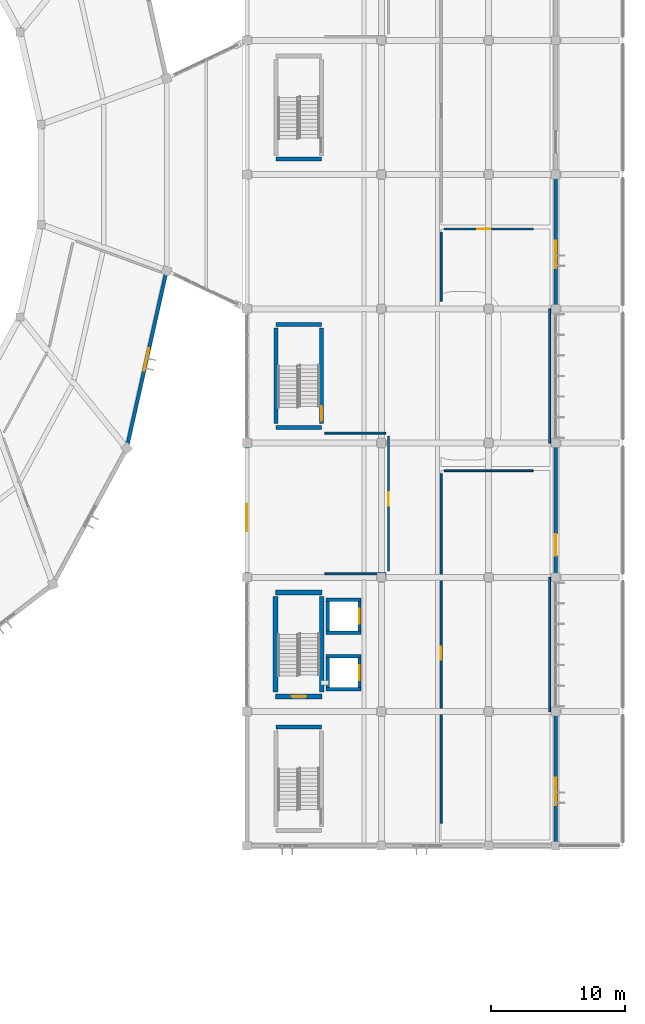
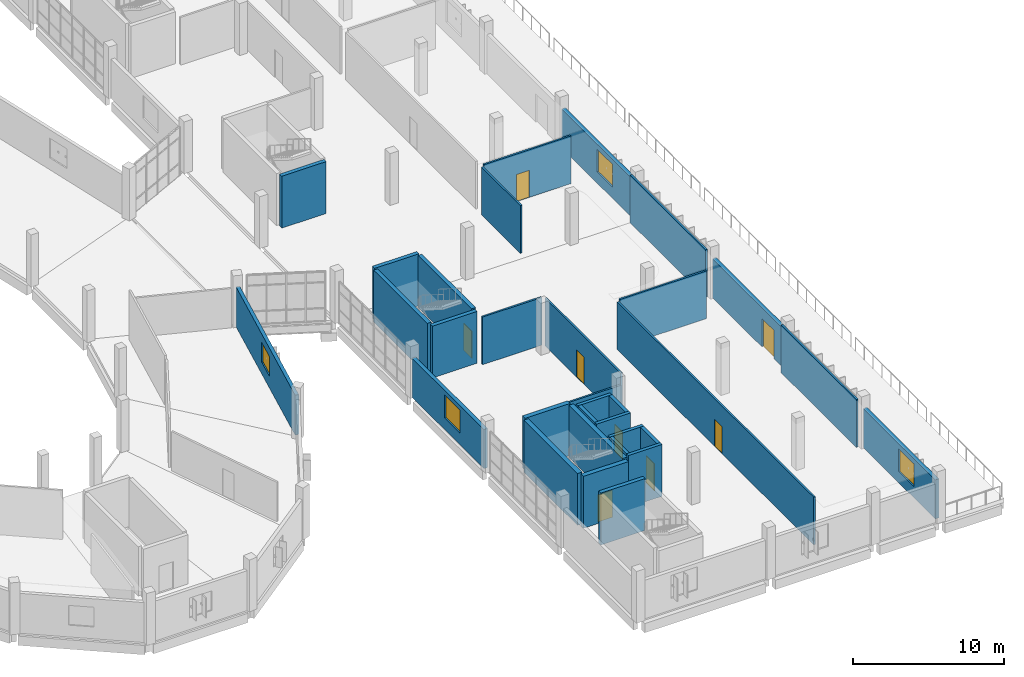
# One storey, part 104 of 142: 32 walls, 8 doors, 4 windows, 12 openings.
"""IFC4 building model written with IfcOpenShell, lengths in metres."""

from ifc_helpers import new_model, si_unit, direction, frame, frame_2d, origin, place, context, subcontext, project, spatial, rectangle, extrude, material, layer, layer_set, type_object, element, fill, save


model = new_model("IFC4")

# Units and contexts
model_context = context("Model", 3, precision=1e-05, world=origin(), true_north=direction((0.0, 1.0)))
body_context = subcontext(model_context, "Body", "Model", "MODEL_VIEW")
ifc_project = project(units=[si_unit("LENGTHUNIT", "METRE"), si_unit("AREAUNIT", "SQUARE_METRE"), si_unit("VOLUMEUNIT", "CUBIC_METRE"), si_unit("PLANEANGLEUNIT", "RADIAN"), si_unit("MASSUNIT", "GRAM", prefix="KILO")], contexts=[model_context])

# Site, building, storey
site_placement = place(None, origin())
site = spatial("IfcSite", under=ifc_project, at=site_placement, CompositionType="ELEMENT")
building_placement = place(site_placement, origin())
building = spatial("IfcBuilding", under=site, at=building_placement, Name="Corvandel Quay Wholesale Market", CompositionType="ELEMENT")
storey_placement = place(building_placement, frame((0.0, 0.0, 10.800048828125)))
storey = spatial("IfcBuildingStorey", under=building, at=storey_placement, Name="L02", CompositionType="ELEMENT", Elevation=10.800048828125)

# Wall, opening, window
ifc_material_1 = material(Name="Buff-pigmented precast concrete C45/55", Category="concrete")
ifc_layer_1 = layer(ifc_material_1, 0.280029296875)
ifc_layer_set_1 = layer_set([ifc_layer_1], Name="Buff-pigmented precast concrete C45/55")
wall_type_1 = type_object("IfcWallType", Name="Colonnade Spandrel Precast Wall EW07 280", PredefinedType="SOLIDWALL", material=ifc_layer_set_1)
wall_1_placement = place(storey_placement, frame((243.0, 10.219970703125, 0.0), z_axis=(0.0, 0.0, 1.0), x_axis=(0.0, 1.0, 0.0)))
wall_1 = element("IfcWall", 1, at=wall_1_placement, inside=storey, type_object=wall_type_1, Name="Exterior Wall EW-0366", PredefinedType="SOLIDWALL", context=body_context, shape_type="SweptSolid", body=[
    extrude(rectangle(XDim=9.56005859375, YDim=0.280029296875, at=frame_2d((4.780029296875, 0.0))), origin(), (0.0, 0.0, 1.0), 3.159912109375),
])
opening_1_placement = place(wall_1_placement, frame((2.800048828125, 0.0, 0.89990234375)))
opening_1 = element("IfcOpeningElement", 2, at=opening_1_placement, cuts=wall_1, Name="Opening L02-W064", PredefinedType="OPENING", context=body_context, shape_type="SweptSolid", body=[
    extrude(rectangle(XDim=2.050048828125, YDim=1.85009765625, at=frame_2d((1.02490234375, 0.925048828125))), frame((0.0, 0.14990234375, 0.0), z_axis=(0.0, -1.0, 0.0), x_axis=(1.0, 0.0, 0.0)), (0.0, 0.0, 1.0), 0.300048828125),
])
ifc_material_2 = material(Name="Thermally broken bronze anodised aluminium and solar-control low-E double glazing", Category="aluminium")
window_type_1 = type_object("IfcWindowType", Name="Traders Office Module Window WN19 2050x1850", PartitioningType="SINGLE_PANEL", PredefinedType="WINDOW", material=ifc_material_2)
window_1_placement = place(opening_1_placement, origin())
window_1 = element("IfcWindow", 3, at=window_1_placement, inside=storey, type_object=window_type_1, Name="Window L02-W064", OverallHeight=1.85009765625, OverallWidth=2.050048828125, PartitioningType="SINGLE_PANEL", PredefinedType="WINDOW", context=body_context, shape_type="SweptSolid", body=[
    extrude(rectangle(XDim=2.050048828125, YDim=1.85009765625, at=frame_2d((1.02490234375, 0.925048828125))), frame((0.0, 0.030029296875, 0.0), z_axis=(0.0, -1.0, 0.0), x_axis=(1.0, 0.0, 0.0)), (0.0, 0.0, 1.0), 0.06005859375),
])
fill(opening_1, window_1)

# Wall, opening, door
wall_2_placement = place(storey_placement, frame((243.0, 30.219970703125, 0.0), z_axis=(0.0, 0.0, 1.0), x_axis=(0.0, 1.0, 0.0)))
wall_2 = element("IfcWall", 4, at=wall_2_placement, inside=storey, type_object=wall_type_1, Name="Exterior Wall EW-0368", PredefinedType="SOLIDWALL", context=body_context, shape_type="SweptSolid", body=[
    extrude(rectangle(XDim=9.56005859375, YDim=0.280029296875, at=frame_2d((4.780029296875, 0.0))), origin(), (0.0, 0.0, 1.0), 3.159912109375),
])
opening_2_placement = place(wall_2_placement, frame((1.39990234375, 0.0, 0.0)))
opening_2 = element("IfcOpeningElement", 5, at=opening_2_placement, cuts=wall_2, Name="Opening L02-D005", PredefinedType="OPENING", context=body_context, shape_type="SweptSolid", body=[
    extrude(rectangle(XDim=1.60009765625, YDim=2.300048828125, at=frame_2d((0.800048828125, 1.14990234375))), frame((0.0, 0.14990234375, 0.0), z_axis=(0.0, -1.0, 0.0), x_axis=(1.0, 0.0, 0.0)), (0.0, 0.0, 1.0), 0.300048828125),
])
ifc_material_3 = material(Name="Bronze anodised aluminium and low-E glass", Category="aluminium")
door_type_1 = type_object("IfcDoorType", Name="Terrace Garden Access Door ED04 1600x2300", OperationType="DOUBLE_DOOR_SINGLE_SWING", PredefinedType="DOOR", material=ifc_material_3)
door_1_placement = place(opening_2_placement, origin())
door_1 = element("IfcDoor", 6, at=door_1_placement, inside=storey, type_object=door_type_1, Name="Harbour Setback Terrace Door L02-30", OperationType="DOUBLE_DOOR_SINGLE_SWING", OverallHeight=2.300048828125, OverallWidth=1.60009765625, PredefinedType="DOOR", context=body_context, shape_type="SweptSolid", body=[
    extrude(rectangle(XDim=1.60009765625, YDim=2.300048828125, at=frame_2d((0.800048828125, 1.14990234375))), frame((0.0, 0.02490234375, 0.0), z_axis=(0.0, -1.0, 0.0), x_axis=(1.0, 0.0, 0.0)), (0.0, 0.0, 1.0), 0.050048828125),
])
fill(opening_2, door_1)

# Wall, opening, window
wall_3_placement = place(storey_placement, frame((220.0, 30.219970703125, 0.0), z_axis=(0.0, 0.0, 1.0), x_axis=(0.0, 1.0, 0.0)))
wall_3 = element("IfcWall", 7, at=wall_3_placement, inside=storey, type_object=wall_type_1, Name="Exterior Wall EW-0369", PredefinedType="SOLIDWALL", context=body_context, shape_type="SweptSolid", body=[
    extrude(rectangle(XDim=9.56005859375, YDim=0.280029296875, at=frame_2d((4.780029296875, 0.0))), origin(), (0.0, 0.0, 1.0), 3.159912109375),
])
opening_3_placement = place(wall_3_placement, frame((3.199951171875, 0.0, 0.949951171875)))
opening_3 = element("IfcOpeningElement", 8, at=opening_3_placement, cuts=wall_3, Name="Opening L02-W065", PredefinedType="OPENING", context=body_context, shape_type="SweptSolid", body=[
    extrude(rectangle(XDim=2.050048828125, YDim=1.85009765625, at=frame_2d((1.02490234375, 0.925048828125))), frame((0.0, 0.14990234375, 0.0), z_axis=(0.0, -1.0, 0.0), x_axis=(1.0, 0.0, 0.0)), (0.0, 0.0, 1.0), 0.300048828125),
])
window_2_placement = place(opening_3_placement, origin())
window_2 = element("IfcWindow", 9, at=window_2_placement, inside=storey, type_object=window_type_1, Name="Window L02-W065", OverallHeight=1.85009765625, OverallWidth=2.050048828125, PartitioningType="SINGLE_PANEL", PredefinedType="WINDOW", context=body_context, shape_type="SweptSolid", body=[
    extrude(rectangle(XDim=2.050048828125, YDim=1.85009765625, at=frame_2d((1.02490234375, 0.925048828125))), frame((0.0, 0.030029296875, 0.0), z_axis=(0.0, -1.0, 0.0), x_axis=(1.0, 0.0, 0.0)), (0.0, 0.0, 1.0), 0.06005859375),
])
fill(opening_3, window_2)

wall_4_placement = place(storey_placement, frame((243.0, 50.219970703125, 0.0), z_axis=(0.0, 0.0, 1.0), x_axis=(0.0, 1.0, 0.0)))
wall_4 = element("IfcWall", 10, at=wall_4_placement, inside=storey, type_object=wall_type_1, Name="Exterior Wall EW-0370", PredefinedType="SOLIDWALL", context=body_context, shape_type="SweptSolid", body=[
    extrude(rectangle(XDim=9.56005859375, YDim=0.280029296875, at=frame_2d((4.780029296875, 0.0))), origin(), (0.0, 0.0, 1.0), 3.159912109375),
])
opening_4_placement = place(wall_4_placement, frame((2.800048828125, 0.0, 0.89990234375)))
opening_4 = element("IfcOpeningElement", 11, at=opening_4_placement, cuts=wall_4, Name="Opening L02-W066", PredefinedType="OPENING", context=body_context, shape_type="SweptSolid", body=[
    extrude(rectangle(XDim=2.050048828125, YDim=1.85009765625, at=frame_2d((1.02490234375, 0.925048828125))), frame((0.0, 0.14990234375, 0.0), z_axis=(0.0, -1.0, 0.0), x_axis=(1.0, 0.0, 0.0)), (0.0, 0.0, 1.0), 0.300048828125),
])
window_3_placement = place(opening_4_placement, origin())
window_3 = element("IfcWindow", 12, at=window_3_placement, inside=storey, type_object=window_type_1, Name="Window L02-W066", OverallHeight=1.85009765625, OverallWidth=2.050048828125, PartitioningType="SINGLE_PANEL", PredefinedType="WINDOW", context=body_context, shape_type="SweptSolid", body=[
    extrude(rectangle(XDim=2.050048828125, YDim=1.85009765625, at=frame_2d((1.02490234375, 0.925048828125))), frame((0.0, 0.030029296875, 0.0), z_axis=(0.0, -1.0, 0.0), x_axis=(1.0, 0.0, 0.0)), (0.0, 0.0, 1.0), 0.06005859375),
])
fill(opening_4, window_3)

# Wall, opening, door
ifc_material_4 = material(Name="Concrete C40/50", Category="concrete")
ifc_layer_2 = layer(ifc_material_4, 0.35009765625)
ifc_layer_set_2 = layer_set([ifc_layer_2], Name="Concrete C40/50")
wall_type_2 = type_object("IfcWallType", Name="Core Shear Wall SW01 350", PredefinedType="SHEAR", material=ifc_layer_set_2)
wall_5_placement = place(storey_placement, frame((222.125, 21.125, 0.0), z_axis=(0.0, 0.0, 1.0), x_axis=(1.0, 0.0, 0.0)))
wall_5 = element("IfcWall", 13, at=wall_5_placement, inside=storey, type_object=wall_type_2, Name="Shear Wall IW-0169", PredefinedType="SHEAR", context=body_context, shape_type="SweptSolid", body=[
    extrude(rectangle(XDim=3.449951171875, YDim=0.35009765625, at=frame_2d((1.72509765625, 0.0))), origin(), (0.0, 0.0, 1.0), 4.199951171875),
])
opening_5_placement = place(wall_5_placement, frame((1.199951171875, 0.0, 0.0)))
opening_5 = element("IfcOpeningElement", 14, at=opening_5_placement, cuts=wall_5, Name="Opening L02-D017", PredefinedType="OPENING", context=body_context, shape_type="SweptSolid", body=[
    extrude(rectangle(XDim=1.10009765625, YDim=2.199951171875, at=frame_2d((0.550048828125, 1.10009765625))), frame((0.0, 0.18505859375, 0.0), z_axis=(0.0, -1.0, 0.0), x_axis=(1.0, 0.0, 0.0)), (0.0, 0.0, 1.0), 0.3701171875),
])
ifc_material_5 = material(Name="Galvanised fire-rated hollow steel", Category="steel")
door_type_2 = type_object("IfcDoorType", Name="Exit Stair Fire Door ID01 1100x2200L", OperationType="SINGLE_SWING_LEFT", PredefinedType="DOOR", material=ifc_material_5)
door_2_placement = place(opening_5_placement, origin())
door_2 = element("IfcDoor", 15, at=door_2_placement, inside=storey, type_object=door_type_2, Name="Exit Stair Door SH16-L02", OperationType="SINGLE_SWING_LEFT", OverallHeight=2.199951171875, OverallWidth=1.10009765625, PredefinedType="DOOR", context=body_context, shape_type="SweptSolid", body=[
    extrude(rectangle(XDim=1.10009765625, YDim=2.199951171875, at=frame_2d((0.550048828125, 1.10009765625))), frame((0.0, 0.02490234375, 0.0), z_axis=(0.0, -1.0, 0.0), x_axis=(1.0, 0.0, 0.0)), (0.0, 0.0, 1.0), 0.050048828125),
])
fill(opening_5, door_2)

# Walls
wall_6_placement = place(storey_placement, frame((222.125, 28.875, 0.0), z_axis=(0.0, 0.0, 1.0), x_axis=(1.0, 0.0, 0.0)))
element("IfcWall", 16, at=wall_6_placement, inside=storey, type_object=wall_type_2, Name="Shear Wall IW-0170", PredefinedType="SHEAR", context=body_context, shape_type="SweptSolid", body=[
    extrude(rectangle(XDim=3.449951171875, YDim=0.35009765625, at=frame_2d((1.72509765625, 0.0))), origin(), (0.0, 0.0, 1.0), 4.199951171875),
])
for number, where, z_axis, x_axis, name in (
    (17, (222.125, 21.43994140625, 0.0), (0.0, 0.0, 1.0), (0.0, 1.0, 0.0), "Shear Wall IW-0171"),
    (18, (225.574951171875, 21.43994140625, 0.0), (0.0, 0.0, 1.0), (0.0, 1.0, 0.0), "Shear Wall IW-0172"),
):
    element("IfcWall", number, at=place(storey_placement, frame(where, z_axis=z_axis, x_axis=x_axis)), inside=storey, type_object=wall_type_2, Name=name, PredefinedType="SHEAR", context=body_context, shape_type="SweptSolid", body=[
        extrude(rectangle(XDim=7.1201171875, YDim=0.35009765625, at=frame_2d((3.56005859375, 0.0))), origin(), (0.0, 0.0, 1.0), 4.199951171875),
    ])
ifc_layer_3 = layer(ifc_material_4, 0.25)
ifc_layer_set_3 = layer_set([ifc_layer_3], Name="Concrete C40/50")
wall_type_3 = type_object("IfcWallType", Name="Lift Shaft Shear Wall SW03 250", PredefinedType="SHEAR", material=ifc_layer_set_3)
for number, where, z_axis, x_axis, name in (
    (19, (225.89990234375, 21.675048828125, 0.0), (0.0, 0.0, 1.0), (1.0, 0.0, 0.0), "Shear Wall IW-0329"),
    (20, (225.89990234375, 24.125, 0.0), (0.0, 0.0, 1.0), (1.0, 0.0, 0.0), "Shear Wall IW-0330"),
):
    element("IfcWall", number, at=place(storey_placement, frame(where, z_axis=z_axis, x_axis=x_axis)), inside=storey, type_object=wall_type_3, Name=name, PredefinedType="SHEAR", context=body_context, shape_type="SweptSolid", body=[
        extrude(rectangle(XDim=2.60009765625, YDim=0.25, at=frame_2d((1.300048828125, 0.0))), origin(), (0.0, 0.0, 1.0), 4.199951171875),
    ])
wall_7_placement = place(storey_placement, frame((226.02490234375, 21.7900390625, 0.0), z_axis=(0.0, 0.0, 1.0), x_axis=(0.0, 1.0, 0.0)))
element("IfcWall", 21, at=wall_7_placement, inside=storey, type_object=wall_type_3, Name="Shear Wall IW-0331", PredefinedType="SHEAR", context=body_context, shape_type="SweptSolid", body=[
    extrude(rectangle(XDim=2.219970703125, YDim=0.25, at=frame_2d((1.10986328125, 0.0))), origin(), (0.0, 0.0, 1.0), 4.199951171875),
])

# Wall, opening, door
wall_8_placement = place(storey_placement, frame((228.375, 21.7900390625, 0.0), z_axis=(0.0, 0.0, 1.0), x_axis=(0.0, 1.0, 0.0)))
wall_8 = element("IfcWall", 22, at=wall_8_placement, inside=storey, type_object=wall_type_3, Name="Shear Wall IW-0332", PredefinedType="SHEAR", context=body_context, shape_type="SweptSolid", body=[
    extrude(rectangle(XDim=2.219970703125, YDim=0.25, at=frame_2d((1.10986328125, 0.0))), origin(), (0.0, 0.0, 1.0), 4.199951171875),
])
opening_6_placement = place(wall_8_placement, frame((0.56005859375, 0.0, 0.0)))
opening_6 = element("IfcOpeningElement", 23, at=opening_6_placement, cuts=wall_8, Name="Opening LD-L02-028", PredefinedType="OPENING", context=body_context, shape_type="SweptSolid", body=[
    extrude(rectangle(XDim=1.10009765625, YDim=2.199951171875, at=frame_2d((0.550048828125, 1.10009765625))), frame((0.0, 0.135009765625, 0.0), z_axis=(0.0, -1.0, 0.0), x_axis=(1.0, 0.0, 0.0)), (0.0, 0.0, 1.0), 0.27001953125),
])
ifc_material_6 = material(Name="Brushed stainless steel", Category="steel")
door_type_3 = type_object("IfcDoorType", Name="Passenger Lift Landing Door LD01 1100x2200", OperationType="DOUBLE_DOOR_SLIDING", PredefinedType="DOOR", material=ifc_material_6)
door_3_placement = place(opening_6_placement, origin())
door_3 = element("IfcDoor", 24, at=door_3_placement, inside=storey, type_object=door_type_3, Name="Lift Landing Door LF-V5P1-L02", OperationType="DOUBLE_DOOR_SLIDING", OverallHeight=2.199951171875, OverallWidth=1.10009765625, PredefinedType="DOOR", context=body_context, shape_type="SweptSolid", body=[
    extrude(rectangle(XDim=1.10009765625, YDim=2.199951171875, at=frame_2d((0.550048828125, 1.10009765625))), frame((0.0, 0.02490234375, 0.0), z_axis=(0.0, -1.0, 0.0), x_axis=(1.0, 0.0, 0.0)), (0.0, 0.0, 1.0), 0.050048828125),
])
fill(opening_6, door_3)

# Walls
for number, where, z_axis, x_axis, name in (
    (25, (225.89990234375, 25.875, 0.0), (0.0, 0.0, 1.0), (1.0, 0.0, 0.0), "Shear Wall IW-0345"),
    (26, (225.89990234375, 28.324951171875, 0.0), (0.0, 0.0, 1.0), (1.0, 0.0, 0.0), "Shear Wall IW-0346"),
):
    element("IfcWall", number, at=place(storey_placement, frame(where, z_axis=z_axis, x_axis=x_axis)), inside=storey, type_object=wall_type_3, Name=name, PredefinedType="SHEAR", context=body_context, shape_type="SweptSolid", body=[
        extrude(rectangle(XDim=2.60009765625, YDim=0.25, at=frame_2d((1.300048828125, 0.0))), origin(), (0.0, 0.0, 1.0), 4.199951171875),
    ])
wall_9_placement = place(storey_placement, frame((226.02490234375, 25.989990234375, 0.0), z_axis=(0.0, 0.0, 1.0), x_axis=(0.0, 1.0, 0.0)))
element("IfcWall", 27, at=wall_9_placement, inside=storey, type_object=wall_type_3, Name="Shear Wall IW-0347", PredefinedType="SHEAR", context=body_context, shape_type="SweptSolid", body=[
    extrude(rectangle(XDim=2.219970703125, YDim=0.25, at=frame_2d((1.10986328125, 0.0))), origin(), (0.0, 0.0, 1.0), 4.199951171875),
])

# Wall, opening, door
wall_10_placement = place(storey_placement, frame((228.375, 25.989990234375, 0.0), z_axis=(0.0, 0.0, 1.0), x_axis=(0.0, 1.0, 0.0)))
wall_10 = element("IfcWall", 28, at=wall_10_placement, inside=storey, type_object=wall_type_3, Name="Shear Wall IW-0348", PredefinedType="SHEAR", context=body_context, shape_type="SweptSolid", body=[
    extrude(rectangle(XDim=2.219970703125, YDim=0.25, at=frame_2d((1.10986328125, 0.0))), origin(), (0.0, 0.0, 1.0), 4.199951171875),
])
opening_7_placement = place(wall_10_placement, frame((0.56005859375, 0.0, 0.0)))
opening_7 = element("IfcOpeningElement", 29, at=opening_7_placement, cuts=wall_10, Name="Opening LD-L02-029", PredefinedType="OPENING", context=body_context, shape_type="SweptSolid", body=[
    extrude(rectangle(XDim=1.10009765625, YDim=2.199951171875, at=frame_2d((0.550048828125, 1.10009765625))), frame((0.0, 0.135009765625, 0.0), z_axis=(0.0, -1.0, 0.0), x_axis=(1.0, 0.0, 0.0)), (0.0, 0.0, 1.0), 0.27001953125),
])
door_4_placement = place(opening_7_placement, origin())
door_4 = element("IfcDoor", 30, at=door_4_placement, inside=storey, type_object=door_type_3, Name="Lift Landing Door LF-V5P2-L02", OperationType="DOUBLE_DOOR_SLIDING", OverallHeight=2.199951171875, OverallWidth=1.10009765625, PredefinedType="DOOR", context=body_context, shape_type="SweptSolid", body=[
    extrude(rectangle(XDim=1.10009765625, YDim=2.199951171875, at=frame_2d((0.550048828125, 1.10009765625))), frame((0.0, 0.02490234375, 0.0), z_axis=(0.0, -1.0, 0.0), x_axis=(1.0, 0.0, 0.0)), (0.0, 0.0, 1.0), 0.050048828125),
])
fill(opening_7, door_4)

ifc_material_7 = material(Name="Double-layer acoustic gypsum stud partition")
ifc_layer_4 = layer(ifc_material_7, 0.139892578125)
ifc_layer_set_4 = layer_set([ifc_layer_4], Name="Double-layer acoustic gypsum stud partition")
wall_type_4 = type_object("IfcWallType", Name="Office Acoustic Partition PT07 140", PredefinedType="PARTITIONING", material=ifc_layer_set_4)
wall_11_placement = place(storey_placement, frame((234.4599609375, 11.669921875, 0.0), z_axis=(0.0, 0.0, 1.0), x_axis=(0.0, 1.0, 0.0)))
wall_11 = element("IfcWall", 31, at=wall_11_placement, inside=storey, type_object=wall_type_4, Name="Interior Wall IW-0888", PredefinedType="PARTITIONING", context=body_context, shape_type="SweptSolid", body=[
    extrude(rectangle(XDim=26.050048828125, YDim=0.139892578125, at=frame_2d((13.02490234375, 0.0))), origin(), (0.0, 0.0, 1.0), 3.85986328125),
])
opening_8_placement = place(wall_11_placement, frame((12.175048828125, 0.0, 0.0)))
opening_8 = element("IfcOpeningElement", 32, at=opening_8_placement, cuts=wall_11, Name="Opening L02-D049", PredefinedType="OPENING", context=body_context, shape_type="SweptSolid", body=[
    extrude(rectangle(XDim=1.0, YDim=2.199951171875, at=frame_2d((0.5, 1.10009765625))), frame((0.0, 0.079833984375, 0.0), z_axis=(0.0, -1.0, 0.0), x_axis=(1.0, 0.0, 0.0)), (0.0, 0.0, 1.0), 0.159912109375),
])
ifc_material_8 = material(Name="Stained oak solid-core acoustic timber", Category="wood")
door_type_4 = type_object("IfcDoorType", Name="Office Entry Door ID09 1000x2200L", OperationType="SINGLE_SWING_LEFT", PredefinedType="DOOR", material=ifc_material_8)
door_5_placement = place(opening_8_placement, origin())
door_5 = element("IfcDoor", 33, at=door_5_placement, inside=storey, type_object=door_type_4, Name="Market Traders Office Suite South Door", OperationType="SINGLE_SWING_LEFT", OverallHeight=2.199951171875, OverallWidth=1.0, PredefinedType="DOOR", context=body_context, shape_type="SweptSolid", body=[
    extrude(rectangle(XDim=1.0, YDim=2.199951171875, at=frame_2d((0.5, 1.10009765625))), frame((0.0, 0.02490234375, 0.0), z_axis=(0.0, -1.0, 0.0), x_axis=(1.0, 0.0, 0.0)), (0.0, 0.0, 1.0), 0.050048828125),
])
fill(opening_8, door_5)

# Walls
wall_12_placement = place(storey_placement, frame((234.679931640625, 37.93994140625, 0.0), z_axis=(0.0, 0.0, 1.0), x_axis=(1.0, 0.0, 0.0)))
element("IfcWall", 34, at=wall_12_placement, inside=storey, type_object=wall_type_4, Name="Interior Wall IW-0889", PredefinedType="PARTITIONING", context=body_context, shape_type="SweptSolid", body=[
    extrude(rectangle(XDim=6.650146484375, YDim=0.139892578125, at=frame_2d((3.3251953125, 0.0))), origin(), (0.0, 0.0, 1.0), 3.85986328125),
])
wall_13_placement = place(storey_placement, frame((242.5400390625, 30.0, 0.0), z_axis=(0.0, 0.0, 1.0), x_axis=(0.0, -1.0, 0.0)))
element("IfcWall", 35, at=wall_13_placement, inside=storey, type_object=wall_type_4, Name="Interior Wall IW-0890", PredefinedType="PARTITIONING", context=body_context, shape_type="SweptSolid", body=[
    extrude(rectangle(XDim=10.0, YDim=0.139892578125, at=frame_2d((5.0, 0.0))), origin(), (0.0, 0.0, 1.0), 3.85986328125),
])
wall_14_placement = place(storey_placement, frame((234.4599609375, 50.556396484375, 0.0), z_axis=(0.0, 0.0, 1.0), x_axis=(0.0, 1.0, 0.0)))
element("IfcWall", 36, at=wall_14_placement, inside=storey, type_object=wall_type_4, Name="Interior Wall IW-0891", PredefinedType="PARTITIONING", context=body_context, shape_type="SweptSolid", body=[
    extrude(rectangle(XDim=5.16357421875, YDim=0.139892578125, at=frame_2d((2.581787109375, 0.0))), origin(), (0.0, 0.0, 1.0), 3.85986328125),
])

# Wall, opening, door
wall_15_placement = place(storey_placement, frame((234.679931640625, 55.93994140625, 0.0), z_axis=(0.0, 0.0, 1.0), x_axis=(1.0, 0.0, 0.0)))
wall_15 = element("IfcWall", 37, at=wall_15_placement, inside=storey, type_object=wall_type_4, Name="Interior Wall IW-0892", PredefinedType="PARTITIONING", context=body_context, shape_type="SweptSolid", body=[
    extrude(rectangle(XDim=6.650146484375, YDim=0.139892578125, at=frame_2d((3.3251953125, 0.0))), origin(), (0.0, 0.0, 1.0), 3.85986328125),
])
opening_9_placement = place(wall_15_placement, frame((2.47509765625, 0.0, 0.0)))
opening_9 = element("IfcOpeningElement", 38, at=opening_9_placement, cuts=wall_15, Name="Opening L02-D050", PredefinedType="OPENING", context=body_context, shape_type="SweptSolid", body=[
    extrude(rectangle(XDim=1.0, YDim=2.199951171875, at=frame_2d((0.5, 1.10009765625))), frame((0.0, 0.079833984375, 0.0), z_axis=(0.0, -1.0, 0.0), x_axis=(1.0, 0.0, 0.0)), (0.0, 0.0, 1.0), 0.159912109375),
])
door_type_5 = type_object("IfcDoorType", Name="Office Entry Door ID10 1000x2200R", OperationType="SINGLE_SWING_RIGHT", PredefinedType="DOOR", material=ifc_material_8)
door_6_placement = place(opening_9_placement, origin())
door_6 = element("IfcDoor", 39, at=door_6_placement, inside=storey, type_object=door_type_5, Name="Market Traders Office Suite Central Door", OperationType="SINGLE_SWING_RIGHT", OverallHeight=2.199951171875, OverallWidth=1.0, PredefinedType="DOOR", context=body_context, shape_type="SweptSolid", body=[
    extrude(rectangle(XDim=1.0, YDim=2.199951171875, at=frame_2d((0.5, 1.10009765625))), frame((0.0, 0.02490234375, 0.0), z_axis=(0.0, -1.0, 0.0), x_axis=(1.0, 0.0, 0.0)), (0.0, 0.0, 1.0), 0.050048828125),
])
fill(opening_9, door_6)

# Walls
wall_16_placement = place(storey_placement, frame((242.5400390625, 50.0, 0.0), z_axis=(0.0, 0.0, 1.0), x_axis=(0.0, -1.0, 0.0)))
element("IfcWall", 40, at=wall_16_placement, inside=storey, type_object=wall_type_4, Name="Interior Wall IW-0893", PredefinedType="PARTITIONING", context=body_context, shape_type="SweptSolid", body=[
    extrude(rectangle(XDim=10.0, YDim=0.139892578125, at=frame_2d((5.0, 0.0))), origin(), (0.0, 0.0, 1.0), 3.85986328125),
])
wall_17_placement = place(storey_placement, frame((225.77001953125, 40.739990234375, 0.0), z_axis=(0.0, 0.0, 1.0), x_axis=(1.0, 0.0, 0.0)))
element("IfcWall", 41, at=wall_17_placement, inside=storey, type_object=wall_type_4, Name="Interior Wall IW-0900", PredefinedType="PARTITIONING", context=body_context, shape_type="SweptSolid", body=[
    extrude(rectangle(XDim=4.550048828125, YDim=0.139892578125, at=frame_2d((2.27490234375, 0.0))), origin(), (0.0, 0.0, 1.0), 3.85986328125),
])

# Wall, opening, door
wall_18_placement = place(storey_placement, frame((230.5400390625, 40.52001953125, 0.0), z_axis=(0.0, 0.0, 1.0), x_axis=(0.0, -1.0, 0.0)))
wall_18 = element("IfcWall", 42, at=wall_18_placement, inside=storey, type_object=wall_type_4, Name="Interior Wall IW-0901", PredefinedType="PARTITIONING", context=body_context, shape_type="SweptSolid", body=[
    extrude(rectangle(XDim=10.0400390625, YDim=0.139892578125, at=frame_2d((5.02001953125, 0.0))), origin(), (0.0, 0.0, 1.0), 3.85986328125),
])
opening_10_placement = place(wall_18_placement, frame((4.169921875, 0.0, 0.0)))
opening_10 = element("IfcOpeningElement", 43, at=opening_10_placement, cuts=wall_18, Name="Opening L02-D054", PredefinedType="OPENING", context=body_context, shape_type="SweptSolid", body=[
    extrude(rectangle(XDim=1.0, YDim=2.199951171875, at=frame_2d((0.5, 1.10009765625))), frame((0.0, 0.079833984375, 0.0), z_axis=(0.0, -1.0, 0.0), x_axis=(1.0, 0.0, 0.0)), (0.0, 0.0, 1.0), 0.159912109375),
])
door_7_placement = place(opening_10_placement, origin())
door_7 = element("IfcDoor", 44, at=door_7_placement, inside=storey, type_object=door_type_5, Name="Market IT and Server Room Door", OperationType="SINGLE_SWING_RIGHT", OverallHeight=2.199951171875, OverallWidth=1.0, PredefinedType="DOOR", context=body_context, shape_type="SweptSolid", body=[
    extrude(rectangle(XDim=1.0, YDim=2.199951171875, at=frame_2d((0.5, 1.10009765625))), frame((0.0, 0.02490234375, 0.0), z_axis=(0.0, -1.0, 0.0), x_axis=(1.0, 0.0, 0.0)), (0.0, 0.0, 1.0), 0.050048828125),
])
fill(opening_10, door_7)

# Wall
wall_19_placement = place(storey_placement, frame((230.320068359375, 30.260009765625, 0.0), z_axis=(0.0, 0.0, 1.0), x_axis=(-1.0, 0.0, 0.0)))
element("IfcWall", 45, at=wall_19_placement, inside=storey, type_object=wall_type_4, Name="Interior Wall IW-0902", PredefinedType="PARTITIONING", context=body_context, shape_type="SweptSolid", body=[
    extrude(rectangle(XDim=4.525146484375, YDim=0.139892578125, at=frame_2d((2.2626953125, 0.0))), origin(), (0.0, 0.0, 1.0), 3.10986328125),
])

# Wall, opening, window
ifc_material_9 = material(Name="Terracotta precast concrete C45/55", Category="masonry")
ifc_layer_5 = layer(ifc_material_9, 0.260009765625)
ifc_layer_set_5 = layer_set([ifc_layer_5], Name="Terracotta precast concrete C45/55")
wall_type_5 = type_object("IfcWallType", Name="Pavilion Pilaster Infill Wall EW08 260", PredefinedType="SOLIDWALL", material=ifc_layer_set_5)
wall_20_placement = place(storey_placement, frame((211.0791015625, 39.82275390625, 0.0), z_axis=(0.0, 0.0, 1.0), x_axis=(0.218965309906, 0.975732644251, 0.0)))
wall_20 = element("IfcWall", 46, at=wall_20_placement, inside=storey, type_object=wall_type_5, Name="Exterior Wall EW-0194", PredefinedType="SOLIDWALL", context=body_context, shape_type="SweptSolid", body=[
    extrude(rectangle(XDim=13.119873046875, YDim=0.260009765625, at=frame_2d((6.56005859375, 0.0))), origin(), (0.0, 0.0, 1.0), 3.22998046875),
])
opening_11_placement = place(wall_20_placement, frame((5.7099609375, 0.0, 0.949951171875)))
opening_11 = element("IfcOpeningElement", 47, at=opening_11_placement, cuts=wall_20, Name="Opening L02-W038", PredefinedType="OPENING", context=body_context, shape_type="SweptSolid", body=[
    extrude(rectangle(XDim=1.699951171875, YDim=1.60009765625, at=frame_2d((0.85009765625, 0.800048828125))), frame((0.0, 0.139892578125, 0.0), z_axis=(0.0, -1.0, 0.0), x_axis=(1.0, 0.0, 0.0)), (0.0, 0.0, 1.0), 0.280029296875),
])
window_type_2 = type_object("IfcWindowType", Name="Auction Viewing Window WN13 1700x1600", PartitioningType="SINGLE_PANEL", PredefinedType="WINDOW", material=ifc_material_2)
window_4_placement = place(opening_11_placement, origin())
window_4 = element("IfcWindow", 48, at=window_4_placement, inside=storey, type_object=window_type_2, Name="Window L02-W038", OverallHeight=1.60009765625, OverallWidth=1.699951171875, PartitioningType="SINGLE_PANEL", PredefinedType="WINDOW", context=body_context, shape_type="SweptSolid", body=[
    extrude(rectangle(XDim=1.699951171875, YDim=1.60009765625, at=frame_2d((0.85009765625, 0.800048828125))), frame((0.0, 0.030029296875, 0.0), z_axis=(0.0, -1.0, 0.0), x_axis=(1.0, 0.0, 0.0)), (0.0, 0.0, 1.0), 0.06005859375),
])
fill(opening_11, window_4)

# Walls
ifc_layer_6 = layer(ifc_material_4, 0.300048828125)
ifc_layer_set_6 = layer_set([ifc_layer_6], Name="Concrete C40/50")
wall_type_6 = type_object("IfcWallType", Name="Stair Shaft Shear Wall SW02 300", PredefinedType="SHEAR", material=ifc_layer_set_6)
for number, where, z_axis, x_axis, name in (
    (49, (222.14990234375, 41.14990234375, 0.0), (0.0, 0.0, 1.0), (1.0, 0.0, 0.0), "Shear Wall IW-0185"),
    (50, (222.14990234375, 48.85009765625, 0.0), (0.0, 0.0, 1.0), (1.0, 0.0, 0.0), "Shear Wall IW-0186"),
):
    element("IfcWall", number, at=place(storey_placement, frame(where, z_axis=z_axis, x_axis=x_axis)), inside=storey, type_object=wall_type_6, Name=name, PredefinedType="SHEAR", context=body_context, shape_type="SweptSolid", body=[
        extrude(rectangle(XDim=3.400146484375, YDim=0.300048828125, at=frame_2d((1.7001953125, 0.0))), origin(), (0.0, 0.0, 1.0), 4.199951171875),
    ])
wall_21_placement = place(storey_placement, frame((222.14990234375, 41.43994140625, 0.0), z_axis=(0.0, 0.0, 1.0), x_axis=(0.0, 1.0, 0.0)))
element("IfcWall", 51, at=wall_21_placement, inside=storey, type_object=wall_type_6, Name="Shear Wall IW-0187", PredefinedType="SHEAR", context=body_context, shape_type="SweptSolid", body=[
    extrude(rectangle(XDim=7.1201171875, YDim=0.300048828125, at=frame_2d((3.56005859375, 0.0))), origin(), (0.0, 0.0, 1.0), 4.199951171875),
])

# Wall, opening, door
wall_22_placement = place(storey_placement, frame((225.550048828125, 41.43994140625, 0.0), z_axis=(0.0, 0.0, 1.0), x_axis=(0.0, 1.0, 0.0)))
wall_22 = element("IfcWall", 52, at=wall_22_placement, inside=storey, type_object=wall_type_6, Name="Shear Wall IW-0188", PredefinedType="SHEAR", context=body_context, shape_type="SweptSolid", body=[
    extrude(rectangle(XDim=7.1201171875, YDim=0.300048828125, at=frame_2d((3.56005859375, 0.0))), origin(), (0.0, 0.0, 1.0), 4.199951171875),
])
opening_12_placement = place(wall_22_placement, frame((0.219970703125, 0.0, 0.0)))
opening_12 = element("IfcOpeningElement", 53, at=opening_12_placement, cuts=wall_22, Name="Opening L02-D018", PredefinedType="OPENING", context=body_context, shape_type="SweptSolid", body=[
    extrude(rectangle(XDim=1.10009765625, YDim=2.199951171875, at=frame_2d((0.550048828125, 1.10009765625))), frame((0.0, 0.159912109375, 0.0), z_axis=(0.0, -1.0, 0.0), x_axis=(1.0, 0.0, 0.0)), (0.0, 0.0, 1.0), 0.320068359375),
])
door_8_placement = place(opening_12_placement, origin())
door_8 = element("IfcDoor", 54, at=door_8_placement, inside=storey, type_object=door_type_2, Name="Exit Stair Door SH17-L02", OperationType="SINGLE_SWING_LEFT", OverallHeight=2.199951171875, OverallWidth=1.10009765625, PredefinedType="DOOR", context=body_context, shape_type="SweptSolid", body=[
    extrude(rectangle(XDim=1.10009765625, YDim=2.199951171875, at=frame_2d((0.550048828125, 1.10009765625))), frame((0.0, 0.02490234375, 0.0), z_axis=(0.0, -1.0, 0.0), x_axis=(1.0, 0.0, 0.0)), (0.0, 0.0, 1.0), 0.050048828125),
])
fill(opening_12, door_8)

# Walls
for number, where, z_axis, x_axis, name in (
    (55, (222.14990234375, 61.14990234375, 0.0), (0.0, 0.0, 1.0), (1.0, 0.0, 0.0), "Shear Wall IW-0201"),
    (56, (222.14990234375, 18.85009765625, 0.0), (0.0, 0.0, 1.0), (1.0, 0.0, 0.0), "Shear Wall IW-0218"),
):
    element("IfcWall", number, at=place(storey_placement, frame(where, z_axis=z_axis, x_axis=x_axis)), inside=storey, type_object=wall_type_6, Name=name, PredefinedType="SHEAR", context=body_context, shape_type="SweptSolid", body=[
        extrude(rectangle(XDim=3.400146484375, YDim=0.300048828125, at=frame_2d((1.7001953125, 0.0))), origin(), (0.0, 0.0, 1.0), 4.199951171875),
    ])

save(model, "model.ifc")
